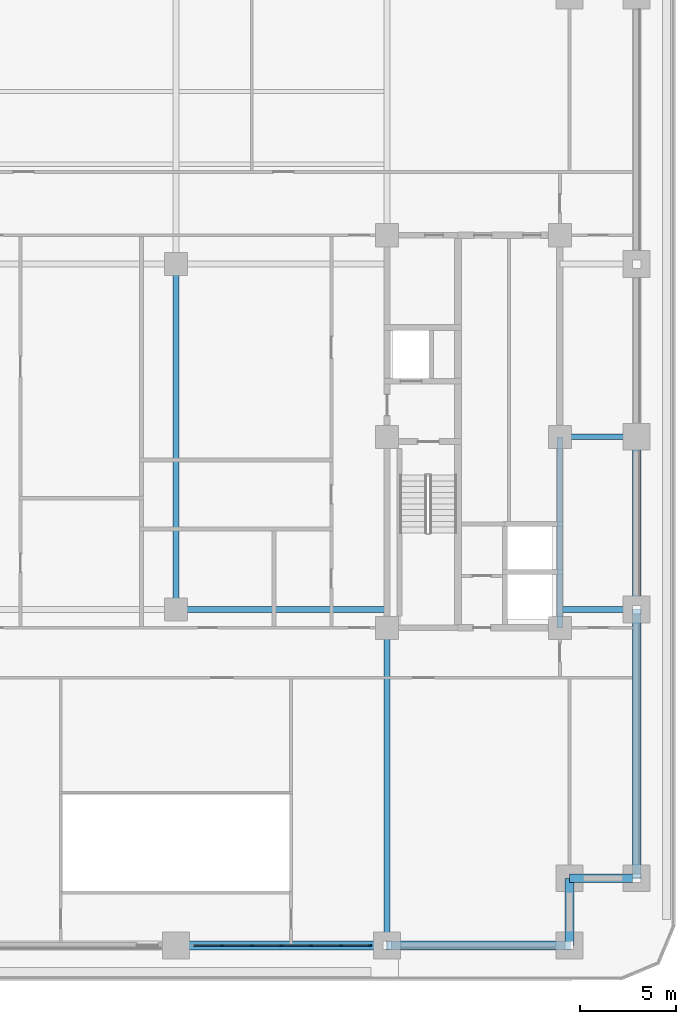
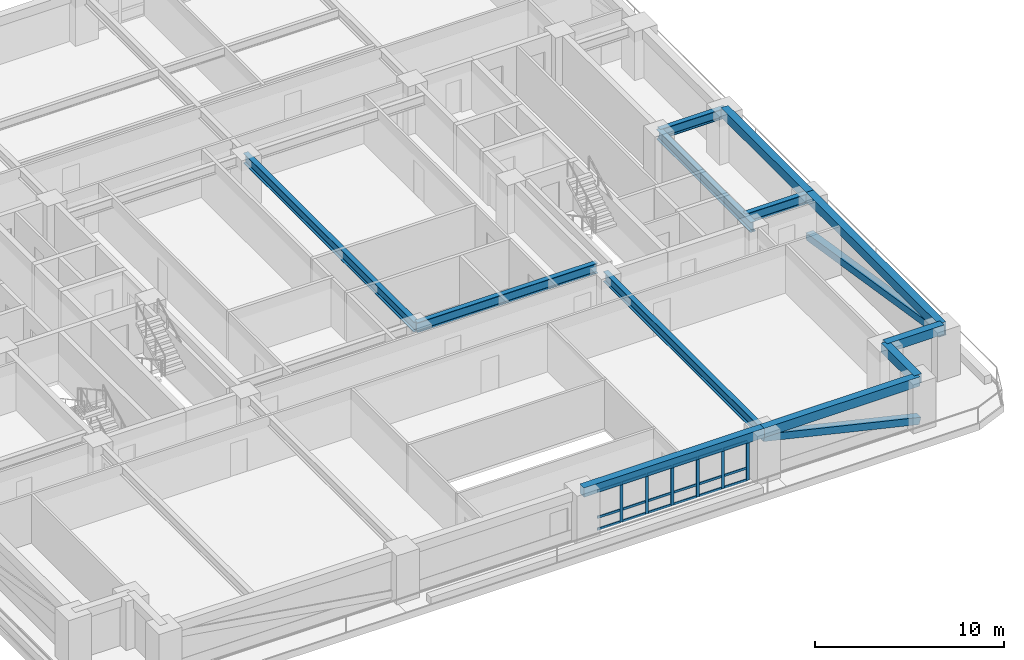
# One storey, part 3 of 18: 26 members, 12 beams, 1 element without a shape of its own.
"""IFC4 building model written with IfcOpenShell, lengths in metres."""

from ifc_helpers import new_model, si_unit, direction, frame, origin, origin_2d, place, context, subcontext, project, spatial, rectangle, hollow_rectangle, i_section, extrude, material, material_profile, profile_set, type_object, element, aggregate, save


model = new_model("IFC4")

# Units and contexts
model_context = context("Model", 3, precision=1e-05, world=origin(), true_north=direction((0.0, 1.0)))
body_context = subcontext(model_context, "Body", "Model", "MODEL_VIEW")
ifc_project = project(units=[si_unit("LENGTHUNIT", "METRE"), si_unit("AREAUNIT", "SQUARE_METRE"), si_unit("VOLUMEUNIT", "CUBIC_METRE"), si_unit("PLANEANGLEUNIT", "RADIAN"), si_unit("MASSUNIT", "GRAM", prefix="KILO")], contexts=[model_context])

# Site, building, storey
site_placement = place(None, origin())
site = spatial("IfcSite", under=ifc_project, at=site_placement, CompositionType="ELEMENT")
building_placement = place(site_placement, origin())
building = spatial("IfcBuilding", under=site, at=building_placement, Name="Zulmaris Gate Convention Tower", CompositionType="ELEMENT")
storey_placement = place(building_placement, frame((0.0, 0.0, 78.60986328125)))
storey = spatial("IfcBuildingStorey", under=building, at=storey_placement, Name="L19", CompositionType="ELEMENT", Elevation=78.60986328125)

# Beams
ifc_material_1 = material(Name="Steel S355", Category="steel")
ifc_material_profile_1 = material_profile(ifc_material_1, i_section(OverallWidth=0.300048828125, OverallDepth=0.64990234375, WebThickness=0.01611328125, FlangeThickness=0.031005859375, FilletRadius=0.027099609375, at=origin_2d()), Name="HEB 650")
ifc_profile_set_1 = profile_set([ifc_material_profile_1], Name="Steel S355")
beam_type_1 = type_object("IfcBeamType", Name="BM-HEB650", PredefinedType="BEAM", material=ifc_profile_set_1)
beam_1_placement = place(storey_placement, frame((0.0, -9.0, 2.818115234375), z_axis=(1.0, 0.0, 0.0), x_axis=(0.0, 1.0, 0.0)))
element("IfcBeam", 1, at=beam_1_placement, inside=storey, type_object=beam_type_1, Name="L19 Beam BM-L19-G02", PredefinedType="BEAM", context=body_context, shape_type="SweptSolid", body=[
    extrude(i_section(OverallWidth=0.300048828125, OverallDepth=0.64990234375, WebThickness=0.01611328125, FlangeThickness=0.031005859375, FilletRadius=0.027099609375, at=origin_2d()), origin(), (0.0, 0.0, 1.0), 11.0),
])
beam_2_placement = place(storey_placement, frame((0.0, -9.0, 2.818115234375), z_axis=(0.0, 1.0, 0.0), x_axis=(-1.0, 0.0, 0.0)))
element("IfcBeam", 2, at=beam_2_placement, inside=storey, type_object=beam_type_1, Name="L19 Beam BM-L19-G06", PredefinedType="BEAM", context=body_context, shape_type="SweptSolid", body=[
    extrude(i_section(OverallWidth=0.300048828125, OverallDepth=0.64990234375, WebThickness=0.01611328125, FlangeThickness=0.031005859375, FilletRadius=0.027099609375, at=origin_2d()), origin(), (0.0, 0.0, 1.0), 18.0),
])
beam_3_placement = place(storey_placement, frame((11.0, -26.5, 2.818115234375), z_axis=(0.0, 1.0, 0.0), x_axis=(-1.0, 0.0, 0.0)))
element("IfcBeam", 3, at=beam_3_placement, inside=storey, type_object=beam_type_1, Name="L19 Beam BM-L19-G10", PredefinedType="BEAM", context=body_context, shape_type="SweptSolid", body=[
    extrude(i_section(OverallWidth=0.300048828125, OverallDepth=0.64990234375, WebThickness=0.01611328125, FlangeThickness=0.031005859375, FilletRadius=0.027099609375, at=origin_2d()), origin(), (0.0, 0.0, 1.0), 16.550048828125),
])
for number, where, z_axis, x_axis, name in (
    (4, (20.0, -9.0, 2.818115234375), (1.0, 0.0, 0.0), (0.0, 1.0, 0.0), "L19 Beam BM-L19-G19"),
    (5, (20.0, 0.0, 2.818115234375), (1.0, 0.0, 0.0), (0.0, 1.0, 0.0), "L19 Beam BM-L19-G20"),
):
    element("IfcBeam", number, at=place(storey_placement, frame(where, z_axis=z_axis, x_axis=x_axis)), inside=storey, type_object=beam_type_1, Name=name, PredefinedType="BEAM", context=body_context, shape_type="SweptSolid", body=[
        extrude(i_section(OverallWidth=0.300048828125, OverallDepth=0.64990234375, WebThickness=0.01611328125, FlangeThickness=0.031005859375, FilletRadius=0.027099609375, at=origin_2d()), origin(), (0.0, 0.0, 1.0), 4.0),
    ])
beam_4_placement = place(storey_placement, frame((20.0, -9.949951171875, 2.818115234375), z_axis=(0.0, 1.0, 0.0), x_axis=(-1.0, 0.0, 0.0)))
element("IfcBeam", 6, at=beam_4_placement, inside=storey, type_object=beam_type_1, Name="L19 Beam BM-L19-G28", PredefinedType="BEAM", context=body_context, shape_type="SweptSolid", body=[
    extrude(i_section(OverallWidth=0.300048828125, OverallDepth=0.64990234375, WebThickness=0.01611328125, FlangeThickness=0.031005859375, FilletRadius=0.027099609375, at=origin_2d()), origin(), (0.0, 0.0, 1.0), 9.949951171875),
])
ifc_material_2 = material(Name="Precast concrete C50/60", Category="concrete")
ifc_material_profile_2 = material_profile(ifc_material_2, rectangle(XDim=0.449951171875, YDim=0.60009765625, at=origin_2d()), Name="RC SPANDREL 450x600")
ifc_profile_set_2 = profile_set([ifc_material_profile_2], Name="Precast concrete C50/60")
beam_type_2 = type_object("IfcBeamType", Name="BM-SP450x600", PredefinedType="SPANDREL", material=ifc_profile_set_2)
beam_5_placement = place(storey_placement, frame((0.0, -26.5, 2.844970703125), z_axis=(1.0, 0.0, 0.0), x_axis=(0.0, 1.0, 0.0)))
element("IfcBeam", 7, at=beam_5_placement, inside=storey, type_object=beam_type_2, Name="L19 Spandrel SP-L19-03", PredefinedType="SPANDREL", context=body_context, shape_type="SweptSolid", body=[
    extrude(rectangle(XDim=0.449951171875, YDim=0.60009765625, at=origin_2d()), origin(), (0.0, 0.0, 1.0), 11.0),
])
beam_6_placement = place(storey_placement, frame((11.0, -26.5, 2.844970703125), z_axis=(1.0, 0.0, 0.0), x_axis=(0.0, 1.0, 0.0)))
element("IfcBeam", 8, at=beam_6_placement, inside=storey, type_object=beam_type_2, Name="L19 Spandrel SP-L19-04", PredefinedType="SPANDREL", context=body_context, shape_type="SweptSolid", body=[
    extrude(rectangle(XDim=0.449951171875, YDim=0.60009765625, at=origin_2d()), origin(), (0.0, 0.0, 1.0), 9.5),
])
for number, where, z_axis, x_axis, name in (
    (9, (20.5, -26.5, 2.844970703125), (0.0, 1.0, 0.0), (-1.0, 0.0, 0.0), "L19 Spandrel SP-L19-05"),
    (10, (20.5, -23.0, 2.844970703125), (1.0, 0.0, 0.0), (0.0, 1.0, 0.0), "L19 Spandrel SP-L19-06"),
):
    element("IfcBeam", number, at=place(storey_placement, frame(where, z_axis=z_axis, x_axis=x_axis)), inside=storey, type_object=beam_type_2, Name=name, PredefinedType="SPANDREL", context=body_context, shape_type="SweptSolid", body=[
        extrude(rectangle(XDim=0.449951171875, YDim=0.60009765625, at=origin_2d()), origin(), (0.0, 0.0, 1.0), 3.5),
    ])
beam_7_placement = place(storey_placement, frame((24.0, -23.0, 2.844970703125), z_axis=(0.0, 1.0, 0.0), x_axis=(-1.0, 0.0, 0.0)))
element("IfcBeam", 11, at=beam_7_placement, inside=storey, type_object=beam_type_2, Name="L19 Spandrel SP-L19-07", PredefinedType="SPANDREL", context=body_context, shape_type="SweptSolid", body=[
    extrude(rectangle(XDim=0.449951171875, YDim=0.60009765625, at=origin_2d()), origin(), (0.0, 0.0, 1.0), 14.0),
])
beam_8_placement = place(storey_placement, frame((24.0, -9.0, 2.844970703125), z_axis=(0.0, 1.0, 0.0), x_axis=(-1.0, 0.0, 0.0)))
element("IfcBeam", 12, at=beam_8_placement, inside=storey, type_object=beam_type_2, Name="L19 Spandrel SP-L19-08", PredefinedType="SPANDREL", context=body_context, shape_type="SweptSolid", body=[
    extrude(rectangle(XDim=0.449951171875, YDim=0.60009765625, at=origin_2d()), origin(), (0.0, 0.0, 1.0), 9.0),
])

# Members
ifc_material_3 = material(Name="Steel S460", Category="steel")
ifc_material_profile_3 = material_profile(ifc_material_3, hollow_rectangle(XDim=0.449951171875, YDim=0.449951171875, WallThickness=0.02490234375, at=origin_2d()), Name="SHS 450x450x25")
ifc_profile_set_3 = profile_set([ifc_material_profile_3], Name="Steel S460")
member_type_1 = type_object("IfcMemberType", Name="BR-SHS450", PredefinedType="BRACE", material=ifc_profile_set_3)
member_1_placement = place(storey_placement, frame((24.0, -9.0, 0.300048828125), z_axis=(0.0, -0.987604102755, 0.156965398167), x_axis=(1.0, 0.0, 0.0)))
element("IfcMember", 13, at=member_1_placement, inside=storey, type_object=member_type_1, Name="L19 Perimeter Tube Diagonal SE-E", PredefinedType="BRACE", context=body_context, shape_type="SweptSolid", body=[
    extrude(hollow_rectangle(XDim=0.449951171875, YDim=0.449951171875, WallThickness=0.02490234375, at=origin_2d()), origin(), (0.0, 0.0, 1.0), 14.17578125),
])
member_2_placement = place(storey_placement, frame((20.5, -26.5, 0.300048828125), z_axis=(-0.973649654893, 0.0, 0.228049006854), x_axis=(0.0, -1.0, 0.0)))
element("IfcMember", 14, at=member_2_placement, inside=storey, type_object=member_type_1, Name="L19 Perimeter Tube Diagonal SE-S", PredefinedType="BRACE", context=body_context, shape_type="SweptSolid", body=[
    extrude(hollow_rectangle(XDim=0.449951171875, YDim=0.449951171875, WallThickness=0.02490234375, at=origin_2d()), origin(), (0.0, 0.0, 1.0), 9.757080078125),
])

# Curtain wall, members
ifc_material_4 = material(Name="Anodised Aluminium", Category="aluminium")
curtain_wall_type = type_object("IfcCurtainWallType", Name="CW-05", PredefinedType="NOTDEFINED", material=ifc_material_4)
curtain_wall_placement = place(storey_placement, origin())
curtain_wall = element("IfcCurtainWall", 15, at=curtain_wall_placement, inside=storey, type_object=curtain_wall_type, Name="CW-05 CW05-L19-S-2_0", PredefinedType="NOTDEFINED")
ifc_material_profile_4 = material_profile(ifc_material_4, rectangle(XDim=0.074951171875, YDim=0.179931640625, at=origin_2d()), Name="ALU MULLION 75x180")
ifc_profile_set_4 = profile_set([ifc_material_profile_4], Name="Anodised Aluminium")
member_type_2 = type_object("IfcMemberType", Name="CW-05-MULL", PredefinedType="MULLION", material=ifc_profile_set_4)
member_3_placement = place(storey_placement, frame((2.40673828125, -26.5, 0.0), z_axis=(0.0, 0.0, 1.0), x_axis=(0.0, 1.0, 0.0)))
member_3 = element("IfcMember", 16, at=member_3_placement, type_object=member_type_2, Name="CW-05 mullion 2", PredefinedType="MULLION", context=body_context, shape_type="SweptSolid", body=[
    extrude(rectangle(XDim=0.074951171875, YDim=0.179931640625, at=origin_2d()), origin(), (0.0, 0.0, 1.0), 2.537109375),
])
member_4_placement = place(storey_placement, frame((3.953369140625, -26.5, 0.0), z_axis=(0.0, 0.0, 1.0), x_axis=(0.0, 1.0, 0.0)))
member_4 = element("IfcMember", 17, at=member_4_placement, type_object=member_type_2, Name="CW-05 mullion 3", PredefinedType="MULLION", context=body_context, shape_type="SweptSolid", body=[
    extrude(rectangle(XDim=0.074951171875, YDim=0.179931640625, at=origin_2d()), origin(), (0.0, 0.0, 1.0), 2.537109375),
])
member_5_placement = place(storey_placement, frame((5.5, -26.5, 0.0), z_axis=(0.0, 0.0, 1.0), x_axis=(0.0, 1.0, 0.0)))
member_5 = element("IfcMember", 18, at=member_5_placement, type_object=member_type_2, Name="CW-05 mullion 4", PredefinedType="MULLION", context=body_context, shape_type="SweptSolid", body=[
    extrude(rectangle(XDim=0.074951171875, YDim=0.179931640625, at=origin_2d()), origin(), (0.0, 0.0, 1.0), 2.537109375),
])
member_6_placement = place(storey_placement, frame((7.046630859375, -26.5, 0.0), z_axis=(0.0, 0.0, 1.0), x_axis=(0.0, 1.0, 0.0)))
member_6 = element("IfcMember", 19, at=member_6_placement, type_object=member_type_2, Name="CW-05 mullion 5", PredefinedType="MULLION", context=body_context, shape_type="SweptSolid", body=[
    extrude(rectangle(XDim=0.074951171875, YDim=0.179931640625, at=origin_2d()), origin(), (0.0, 0.0, 1.0), 2.537109375),
])
member_7_placement = place(storey_placement, frame((8.59326171875, -26.5, 0.0), z_axis=(0.0, 0.0, 1.0), x_axis=(0.0, 1.0, 0.0)))
member_7 = element("IfcMember", 20, at=member_7_placement, type_object=member_type_2, Name="CW-05 mullion 6", PredefinedType="MULLION", context=body_context, shape_type="SweptSolid", body=[
    extrude(rectangle(XDim=0.074951171875, YDim=0.179931640625, at=origin_2d()), origin(), (0.0, 0.0, 1.0), 2.537109375),
])
member_8_placement = place(storey_placement, frame((10.1025390625, -26.5, 0.0), z_axis=(0.0, 0.0, 1.0), x_axis=(0.0, 1.0, 0.0)))
member_8 = element("IfcMember", 21, at=member_8_placement, type_object=member_type_2, Name="CW-05 mullion 7", PredefinedType="MULLION", context=body_context, shape_type="SweptSolid", body=[
    extrude(rectangle(XDim=0.074951171875, YDim=0.179931640625, at=origin_2d()), origin(), (0.0, 0.0, 1.0), 2.537109375),
])
ifc_material_profile_5 = material_profile(ifc_material_4, rectangle(XDim=0.074951171875, YDim=0.14990234375, at=origin_2d()), Name="ALU TRANSOM 75x150")
ifc_profile_set_5 = profile_set([ifc_material_profile_5], Name="Anodised Aluminium")
member_type_3 = type_object("IfcMemberType", Name="CW-05-TRAN", PredefinedType="USERDEFINED", material=ifc_profile_set_5)
member_9_placement = place(storey_placement, frame((0.93505859375, -26.5, 0.03759765625), z_axis=(1.0, 0.0, 0.0), x_axis=(0.0, 1.0, 0.0)))
member_9 = element("IfcMember", 22, at=member_9_placement, type_object=member_type_3, Name="CW-05 transom 1.1", ObjectType="TRANSOM", PredefinedType="USERDEFINED", context=body_context, shape_type="SweptSolid", body=[
    extrude(rectangle(XDim=0.074951171875, YDim=0.14990234375, at=origin_2d()), origin(), (0.0, 0.0, 1.0), 1.43408203125),
])
member_10_placement = place(storey_placement, frame((0.93505859375, -26.5, 0.800048828125), z_axis=(1.0, 0.0, 0.0), x_axis=(0.0, 1.0, 0.0)))
member_10 = element("IfcMember", 23, at=member_10_placement, type_object=member_type_3, Name="CW-05 transom 1.2", ObjectType="TRANSOM", PredefinedType="USERDEFINED", context=body_context, shape_type="SweptSolid", body=[
    extrude(rectangle(XDim=0.074951171875, YDim=0.14990234375, at=origin_2d()), origin(), (0.0, 0.0, 1.0), 1.43408203125),
])
member_11_placement = place(storey_placement, frame((0.93505859375, -26.5, 2.49951171875), z_axis=(1.0, 0.0, 0.0), x_axis=(0.0, 1.0, 0.0)))
member_11 = element("IfcMember", 24, at=member_11_placement, type_object=member_type_3, Name="CW-05 transom 1.3", ObjectType="TRANSOM", PredefinedType="USERDEFINED", context=body_context, shape_type="SweptSolid", body=[
    extrude(rectangle(XDim=0.074951171875, YDim=0.14990234375, at=origin_2d()), origin(), (0.0, 0.0, 1.0), 1.43408203125),
])
member_12_placement = place(storey_placement, frame((2.444091796875, -26.5, 0.03759765625), z_axis=(1.0, 0.0, 0.0), x_axis=(0.0, 1.0, 0.0)))
member_12 = element("IfcMember", 25, at=member_12_placement, type_object=member_type_3, Name="CW-05 transom 2.1", ObjectType="TRANSOM", PredefinedType="USERDEFINED", context=body_context, shape_type="SweptSolid", body=[
    extrude(rectangle(XDim=0.074951171875, YDim=0.14990234375, at=origin_2d()), origin(), (0.0, 0.0, 1.0), 1.4716796875),
])
member_13_placement = place(storey_placement, frame((2.444091796875, -26.5, 0.800048828125), z_axis=(1.0, 0.0, 0.0), x_axis=(0.0, 1.0, 0.0)))
member_13 = element("IfcMember", 26, at=member_13_placement, type_object=member_type_3, Name="CW-05 transom 2.2", ObjectType="TRANSOM", PredefinedType="USERDEFINED", context=body_context, shape_type="SweptSolid", body=[
    extrude(rectangle(XDim=0.074951171875, YDim=0.14990234375, at=origin_2d()), origin(), (0.0, 0.0, 1.0), 1.4716796875),
])
member_14_placement = place(storey_placement, frame((2.444091796875, -26.5, 2.49951171875), z_axis=(1.0, 0.0, 0.0), x_axis=(0.0, 1.0, 0.0)))
member_14 = element("IfcMember", 27, at=member_14_placement, type_object=member_type_3, Name="CW-05 transom 2.3", ObjectType="TRANSOM", PredefinedType="USERDEFINED", context=body_context, shape_type="SweptSolid", body=[
    extrude(rectangle(XDim=0.074951171875, YDim=0.14990234375, at=origin_2d()), origin(), (0.0, 0.0, 1.0), 1.4716796875),
])
member_15_placement = place(storey_placement, frame((3.99072265625, -26.5, 0.03759765625), z_axis=(1.0, 0.0, 0.0), x_axis=(0.0, 1.0, 0.0)))
member_15 = element("IfcMember", 28, at=member_15_placement, type_object=member_type_3, Name="CW-05 transom 3.1", ObjectType="TRANSOM", PredefinedType="USERDEFINED", context=body_context, shape_type="SweptSolid", body=[
    extrude(rectangle(XDim=0.074951171875, YDim=0.14990234375, at=origin_2d()), origin(), (0.0, 0.0, 1.0), 1.4716796875),
])
member_16_placement = place(storey_placement, frame((3.99072265625, -26.5, 0.800048828125), z_axis=(1.0, 0.0, 0.0), x_axis=(0.0, 1.0, 0.0)))
member_16 = element("IfcMember", 29, at=member_16_placement, type_object=member_type_3, Name="CW-05 transom 3.2", ObjectType="TRANSOM", PredefinedType="USERDEFINED", context=body_context, shape_type="SweptSolid", body=[
    extrude(rectangle(XDim=0.074951171875, YDim=0.14990234375, at=origin_2d()), origin(), (0.0, 0.0, 1.0), 1.4716796875),
])
member_17_placement = place(storey_placement, frame((3.99072265625, -26.5, 2.49951171875), z_axis=(1.0, 0.0, 0.0), x_axis=(0.0, 1.0, 0.0)))
member_17 = element("IfcMember", 30, at=member_17_placement, type_object=member_type_3, Name="CW-05 transom 3.3", ObjectType="TRANSOM", PredefinedType="USERDEFINED", context=body_context, shape_type="SweptSolid", body=[
    extrude(rectangle(XDim=0.074951171875, YDim=0.14990234375, at=origin_2d()), origin(), (0.0, 0.0, 1.0), 1.4716796875),
])
member_18_placement = place(storey_placement, frame((5.53759765625, -26.5, 0.03759765625), z_axis=(1.0, 0.0, 0.0), x_axis=(0.0, 1.0, 0.0)))
member_18 = element("IfcMember", 31, at=member_18_placement, type_object=member_type_3, Name="CW-05 transom 4.1", ObjectType="TRANSOM", PredefinedType="USERDEFINED", context=body_context, shape_type="SweptSolid", body=[
    extrude(rectangle(XDim=0.074951171875, YDim=0.14990234375, at=origin_2d()), origin(), (0.0, 0.0, 1.0), 1.4716796875),
])
member_19_placement = place(storey_placement, frame((5.53759765625, -26.5, 0.800048828125), z_axis=(1.0, 0.0, 0.0), x_axis=(0.0, 1.0, 0.0)))
member_19 = element("IfcMember", 32, at=member_19_placement, type_object=member_type_3, Name="CW-05 transom 4.2", ObjectType="TRANSOM", PredefinedType="USERDEFINED", context=body_context, shape_type="SweptSolid", body=[
    extrude(rectangle(XDim=0.074951171875, YDim=0.14990234375, at=origin_2d()), origin(), (0.0, 0.0, 1.0), 1.4716796875),
])
member_20_placement = place(storey_placement, frame((5.53759765625, -26.5, 2.49951171875), z_axis=(1.0, 0.0, 0.0), x_axis=(0.0, 1.0, 0.0)))
member_20 = element("IfcMember", 33, at=member_20_placement, type_object=member_type_3, Name="CW-05 transom 4.3", ObjectType="TRANSOM", PredefinedType="USERDEFINED", context=body_context, shape_type="SweptSolid", body=[
    extrude(rectangle(XDim=0.074951171875, YDim=0.14990234375, at=origin_2d()), origin(), (0.0, 0.0, 1.0), 1.4716796875),
])
member_21_placement = place(storey_placement, frame((7.084228515625, -26.5, 0.03759765625), z_axis=(1.0, 0.0, 0.0), x_axis=(0.0, 1.0, 0.0)))
member_21 = element("IfcMember", 34, at=member_21_placement, type_object=member_type_3, Name="CW-05 transom 5.1", ObjectType="TRANSOM", PredefinedType="USERDEFINED", context=body_context, shape_type="SweptSolid", body=[
    extrude(rectangle(XDim=0.074951171875, YDim=0.14990234375, at=origin_2d()), origin(), (0.0, 0.0, 1.0), 1.4716796875),
])
member_22_placement = place(storey_placement, frame((7.084228515625, -26.5, 0.800048828125), z_axis=(1.0, 0.0, 0.0), x_axis=(0.0, 1.0, 0.0)))
member_22 = element("IfcMember", 35, at=member_22_placement, type_object=member_type_3, Name="CW-05 transom 5.2", ObjectType="TRANSOM", PredefinedType="USERDEFINED", context=body_context, shape_type="SweptSolid", body=[
    extrude(rectangle(XDim=0.074951171875, YDim=0.14990234375, at=origin_2d()), origin(), (0.0, 0.0, 1.0), 1.4716796875),
])
member_23_placement = place(storey_placement, frame((7.084228515625, -26.5, 2.49951171875), z_axis=(1.0, 0.0, 0.0), x_axis=(0.0, 1.0, 0.0)))
member_23 = element("IfcMember", 36, at=member_23_placement, type_object=member_type_3, Name="CW-05 transom 5.3", ObjectType="TRANSOM", PredefinedType="USERDEFINED", context=body_context, shape_type="SweptSolid", body=[
    extrude(rectangle(XDim=0.074951171875, YDim=0.14990234375, at=origin_2d()), origin(), (0.0, 0.0, 1.0), 1.4716796875),
])
member_24_placement = place(storey_placement, frame((8.630859375, -26.5, 0.03759765625), z_axis=(1.0, 0.0, 0.0), x_axis=(0.0, 1.0, 0.0)))
member_24 = element("IfcMember", 37, at=member_24_placement, type_object=member_type_3, Name="CW-05 transom 6.1", ObjectType="TRANSOM", PredefinedType="USERDEFINED", context=body_context, shape_type="SweptSolid", body=[
    extrude(rectangle(XDim=0.074951171875, YDim=0.14990234375, at=origin_2d()), origin(), (0.0, 0.0, 1.0), 1.43408203125),
])
member_25_placement = place(storey_placement, frame((8.630859375, -26.5, 0.800048828125), z_axis=(1.0, 0.0, 0.0), x_axis=(0.0, 1.0, 0.0)))
member_25 = element("IfcMember", 38, at=member_25_placement, type_object=member_type_3, Name="CW-05 transom 6.2", ObjectType="TRANSOM", PredefinedType="USERDEFINED", context=body_context, shape_type="SweptSolid", body=[
    extrude(rectangle(XDim=0.074951171875, YDim=0.14990234375, at=origin_2d()), origin(), (0.0, 0.0, 1.0), 1.43408203125),
])
member_26_placement = place(storey_placement, frame((8.630859375, -26.5, 2.49951171875), z_axis=(1.0, 0.0, 0.0), x_axis=(0.0, 1.0, 0.0)))
member_26 = element("IfcMember", 39, at=member_26_placement, type_object=member_type_3, Name="CW-05 transom 6.3", ObjectType="TRANSOM", PredefinedType="USERDEFINED", context=body_context, shape_type="SweptSolid", body=[
    extrude(rectangle(XDim=0.074951171875, YDim=0.14990234375, at=origin_2d()), origin(), (0.0, 0.0, 1.0), 1.43408203125),
])
aggregate(curtain_wall, [member_3, member_4, member_5, member_6, member_7, member_8, member_9, member_10, member_11, member_12, member_13, member_14, member_15, member_16, member_17, member_18, member_19, member_20, member_21, member_22, member_23, member_24, member_25, member_26])

save(model, "model.ifc")
